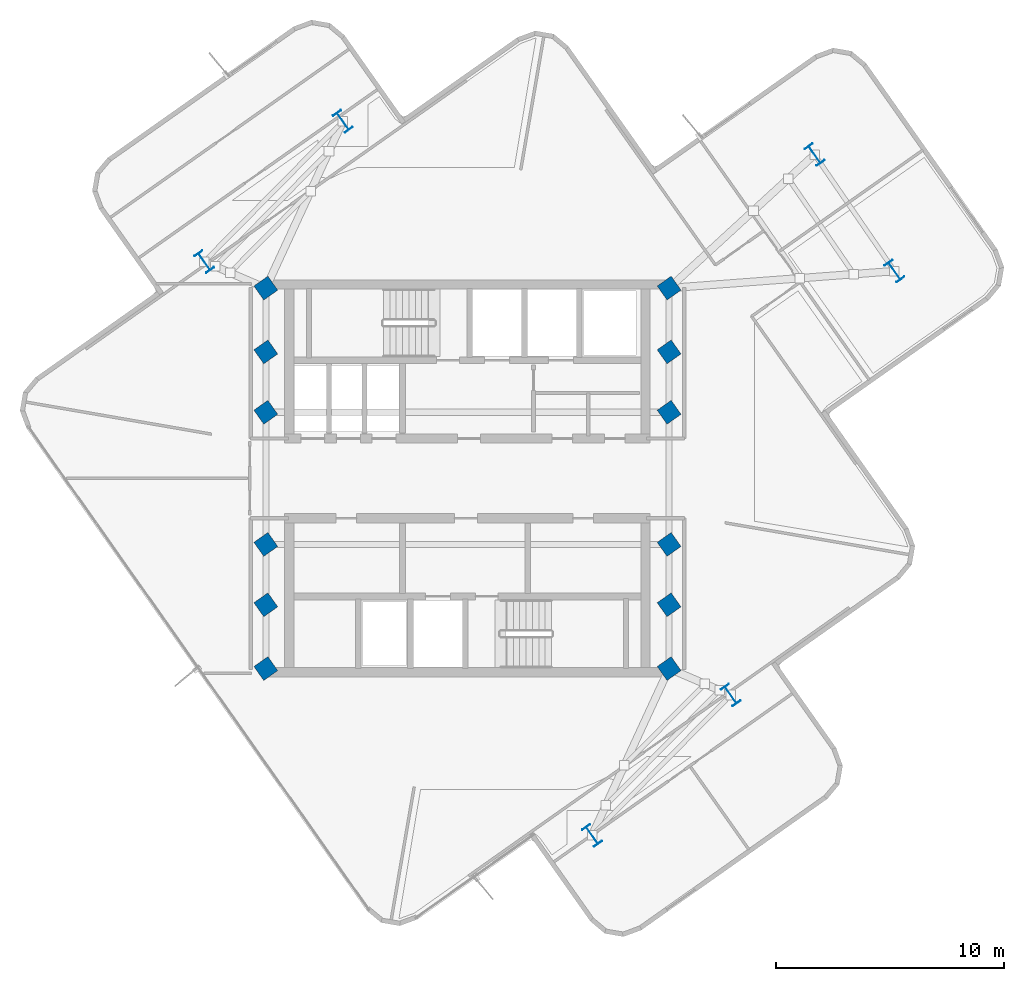
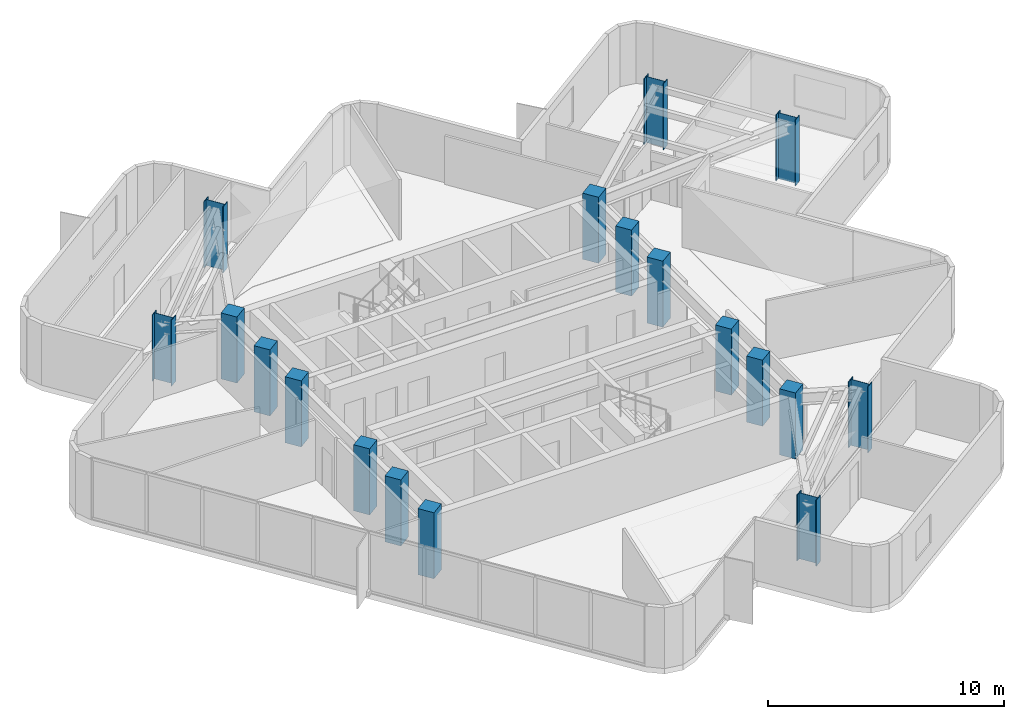
# One storey, part 1 of 9: 18 columns.
"""IFC4 building model written with IfcOpenShell, lengths in metres."""

from ifc_helpers import new_model, si_unit, direction, frame, origin, origin_2d, place, context, subcontext, project, spatial, rectangle, i_section, extrude, material, material_profile, profile_set, type_object, element, save


model = new_model("IFC4")

# Units and contexts
model_context = context("Model", 3, precision=1e-05, world=origin(), true_north=direction((0.0, 1.0)))
body_context = subcontext(model_context, "Body", "Model", "MODEL_VIEW")
ifc_project = project(units=[si_unit("LENGTHUNIT", "METRE"), si_unit("AREAUNIT", "SQUARE_METRE"), si_unit("VOLUMEUNIT", "CUBIC_METRE"), si_unit("PLANEANGLEUNIT", "RADIAN"), si_unit("MASSUNIT", "GRAM", prefix="KILO")], contexts=[model_context])

# Site, building, storey
site_placement = place(None, origin())
site = spatial("IfcSite", under=ifc_project, at=site_placement, CompositionType="ELEMENT")
building_placement = place(site_placement, origin())
building = spatial("IfcBuilding", under=site, at=building_placement, Name="Solmarez Civic Tower", CompositionType="ELEMENT")
storey_placement = place(building_placement, frame((0.0, 0.0, 222.300048828125)))
storey = spatial("IfcBuildingStorey", under=building, at=storey_placement, Name="L59", CompositionType="ELEMENT", Elevation=222.300048828125)

# Columns
ifc_material_1 = material(Name="Concrete C50/60", Category="concrete")
ifc_material_profile_1 = material_profile(ifc_material_1, rectangle(XDim=0.75, YDim=0.75, at=origin_2d()), Name="RC750X750")
ifc_profile_set_1 = profile_set([ifc_material_profile_1], Name="Concrete C50/60")
column_type_1 = type_object("IfcColumnType", Name="COL-RC750", PredefinedType="COLUMN", material=ifc_profile_set_1)
for number, where, z_axis, x_axis, name in (
    (1, (-8.85009765625, -5.550048828125, 0.0), (0.0, 0.0, 1.0), (0.817144898335, 0.57643231617, 0.0), "L59 Structural Column HC1"),
    (2, (-8.85009765625, -2.89990234375, 0.0), (0.0, 0.0, 1.0), (0.817144898335, 0.57643231617, 0.0), "L59 Structural Column HC2"),
    (3, (-8.85009765625, 2.89990234375, 0.0), (0.0, 0.0, 1.0), (0.817144898335, 0.57643231617, 0.0), "L59 Structural Column HC3"),
    (4, (-8.85009765625, 5.550048828125, 0.0), (0.0, 0.0, 1.0), (0.817144898335, 0.57643231617, 0.0), "L59 Structural Column HC4"),
    (5, (8.85009765625, -5.550048828125, 0.0), (0.0, 0.0, 1.0), (0.817144898335, 0.57643231617, 0.0), "L59 Structural Column HC5"),
    (6, (8.85009765625, -2.89990234375, 0.0), (0.0, 0.0, 1.0), (0.817144898335, 0.57643231617, 0.0), "L59 Structural Column HC6"),
    (7, (8.85009765625, 2.89990234375, 0.0), (0.0, 0.0, 1.0), (0.817144898335, 0.57643231617, 0.0), "L59 Structural Column HC7"),
    (8, (8.85009765625, 5.550048828125, 0.0), (0.0, 0.0, 1.0), (0.817144898335, 0.57643231617, 0.0), "L59 Structural Column HC8"),
    (9, (-8.85009765625, 8.35009765625, 0.0), (0.0, 0.0, 1.0), (0.817144898335, 0.57643231617, 0.0), "L59 Structural Column HC9"),
    (10, (8.85009765625, -8.35009765625, 0.0), (0.0, 0.0, 1.0), (0.817144898335, 0.57643231617, 0.0), "L59 Structural Column HC10"),
    (11, (8.85009765625, 8.35009765625, 0.0), (0.0, 0.0, 1.0), (0.817144898335, 0.57643231617, 0.0), "L59 Structural Column HC11"),
    (12, (-8.85009765625, -8.35009765625, 0.0), (0.0, 0.0, 1.0), (0.817144898335, 0.57643231617, 0.0), "L59 Structural Column HC12"),
):
    element("IfcColumn", number, at=place(storey_placement, frame(where, z_axis=z_axis, x_axis=x_axis)), inside=storey, type_object=column_type_1, Name=name, PredefinedType="COLUMN", context=body_context, shape_type="SweptSolid", body=[
        extrude(rectangle(XDim=0.75, YDim=0.75, at=origin_2d()), origin(), (0.0, 0.0, 1.0), 3.419921875),
    ])
ifc_material_2 = material(Name="Steel S355", Category="steel")
ifc_material_profile_2 = material_profile(ifc_material_2, i_section(OverallWidth=0.41796875, OverallDepth=0.927001953125, WebThickness=0.019287109375, FlangeThickness=0.031982421875, at=origin_2d()), Name="W36X231")
ifc_profile_set_2 = profile_set([ifc_material_profile_2], Name="Steel S355")
column_type_2 = type_object("IfcColumnType", Name="COL-W36X231", PredefinedType="COLUMN", material=ifc_profile_set_2)
for number, where, z_axis, x_axis, name in (
    (13, (18.740966796875, 9.096923828125, 0.0), (0.0, 0.0, 1.0), (0.817144898335, 0.57643231617, 0.0), "L59 Structural Column EA11"),
    (14, (15.23388671875, 14.208984375, 0.0), (0.0, 0.0, 1.0), (0.817144898335, 0.57643231617, 0.0), "L59 Structural Column EA12"),
    (15, (-5.468017578125, 15.6708984375, 0.0), (0.0, 0.0, 1.0), (0.817144898335, 0.57643231617, 0.0), "L59 Structural Column NA11"),
    (16, (-11.553955078125, 9.510009765625, 0.0), (0.0, 0.0, 1.0), (0.817144898335, 0.57643231617, 0.0), "L59 Structural Column NA12"),
    (17, (5.468017578125, -15.6708984375, 0.0), (0.0, 0.0, 1.0), (0.817144898335, 0.57643231617, 0.0), "L59 Structural Column SA11"),
    (18, (11.553955078125, -9.510009765625, 0.0), (0.0, 0.0, 1.0), (0.817144898335, 0.57643231617, 0.0), "L59 Structural Column SA12"),
):
    element("IfcColumn", number, at=place(storey_placement, frame(where, z_axis=z_axis, x_axis=x_axis)), inside=storey, type_object=column_type_2, Name=name, PredefinedType="COLUMN", context=body_context, shape_type="SweptSolid", body=[
        extrude(i_section(OverallWidth=0.41796875, OverallDepth=0.927001953125, WebThickness=0.019287109375, FlangeThickness=0.031982421875, at=origin_2d()), origin(), (0.0, 0.0, 1.0), 3.419921875),
    ])

save(model, "model.ifc")
